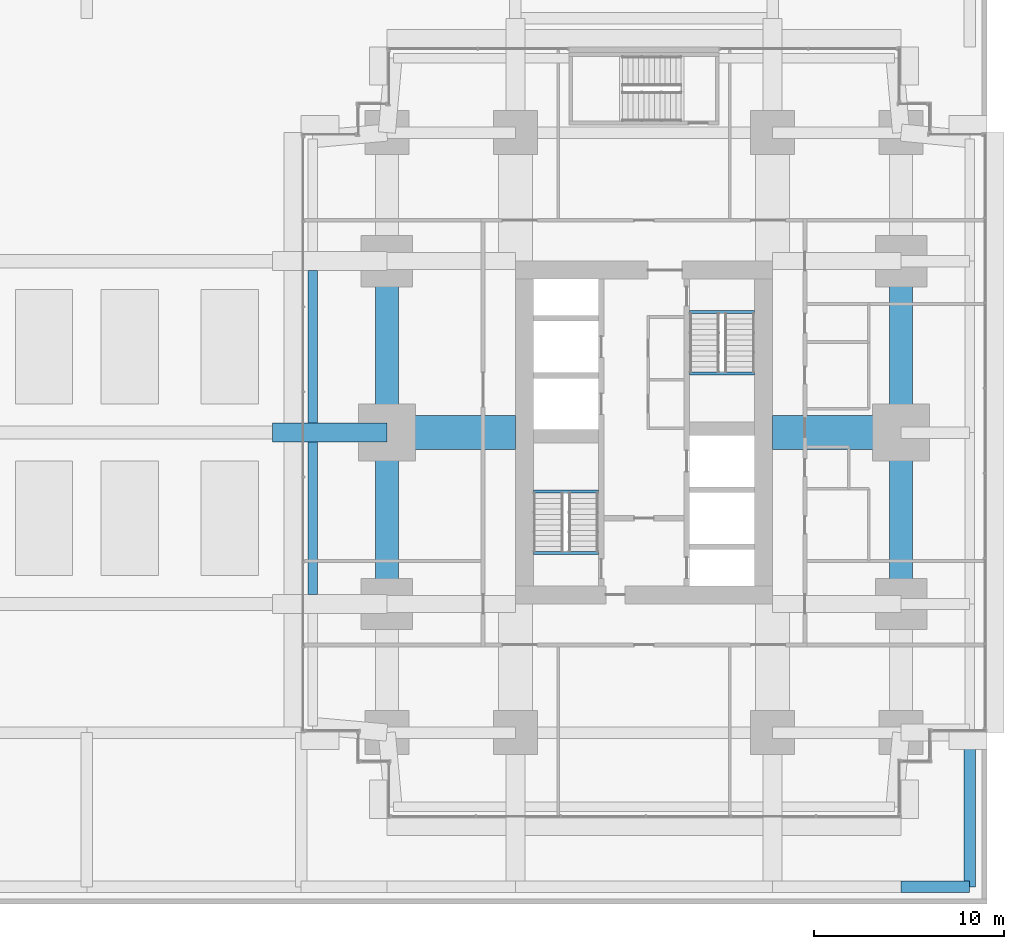
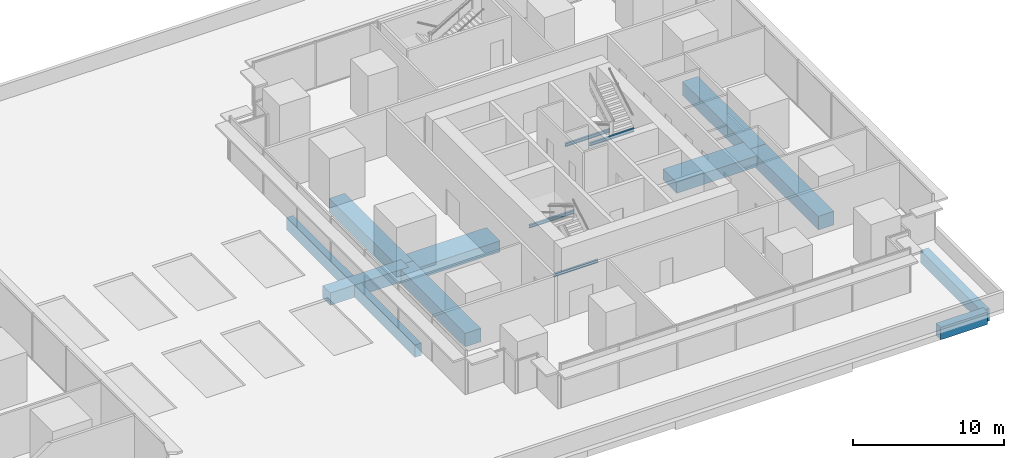
# One storey, part 15 of 34: 15 beams.
"""IFC4 building model written with IfcOpenShell, lengths in metres."""

from ifc_helpers import new_model, si_unit, direction, frame, origin, origin_2d, place, context, subcontext, project, spatial, rectangle, i_section, extrude, material, material_profile, profile_set, type_object, element, save


model = new_model("IFC4")

# Units and contexts
model_context = context("Model", 3, precision=1e-05, world=origin(), true_north=direction((0.0, 1.0)))
body_context = subcontext(model_context, "Body", "Model", "MODEL_VIEW")
ifc_project = project(units=[si_unit("LENGTHUNIT", "METRE"), si_unit("AREAUNIT", "SQUARE_METRE"), si_unit("VOLUMEUNIT", "CUBIC_METRE"), si_unit("PLANEANGLEUNIT", "RADIAN"), si_unit("MASSUNIT", "GRAM", prefix="KILO")], contexts=[model_context])

# Site, building, storey
site_placement = place(None, origin())
site = spatial("IfcSite", under=ifc_project, at=site_placement, CompositionType="ELEMENT")
building_placement = place(site_placement, origin())
building = spatial("IfcBuilding", under=site, at=building_placement, Name="Namib Vertical Campus", CompositionType="ELEMENT")
storey_placement = place(building_placement, frame((0.0, 0.0, 21.0)))
storey = spatial("IfcBuildingStorey", under=building, at=storey_placement, Name="L04", CompositionType="ELEMENT", Elevation=21.0)

# Beams
ifc_material_1 = material(Name="Concrete C40/50", Category="concrete")
ifc_material_profile_1 = material_profile(ifc_material_1, rectangle(XDim=1.199951171875, YDim=1.10009765625, at=origin_2d()))
ifc_profile_set_1 = profile_set([ifc_material_profile_1], Name="Concrete C40/50")
beam_type_1 = type_object("IfcBeamType", Name="Face ring beam RC 1200x1100", PredefinedType="BEAM", material=ifc_profile_set_1)
for number, where, z_axis, x_axis, name in (
    (1, (67.5, 11.25, -0.85009765625), (0.0, 1.0, 0.0), (-1.0, 0.0, 0.0), "Beam B11 L04"),
    (2, (67.5, 20.25, -0.85009765625), (0.0, 1.0, 0.0), (-1.0, 0.0, 0.0), "Beam B11 L04"),
    (3, (94.5, 11.25, -0.85009765625), (0.0, 1.0, 0.0), (-1.0, 0.0, 0.0), "Beam B11 L04"),
    (4, (94.5, 20.25, -0.85009765625), (0.0, 1.0, 0.0), (-1.0, 0.0, 0.0), "Beam B11 L04"),
):
    element("IfcBeam", number, at=place(storey_placement, frame(where, z_axis=z_axis, x_axis=x_axis)), inside=storey, type_object=beam_type_1, Name=name, PredefinedType="BEAM", context=body_context, shape_type="SweptSolid", body=[
        extrude(rectangle(XDim=1.199951171875, YDim=1.10009765625, at=origin_2d()), origin(), (0.0, 0.0, 1.0), 9.0),
    ])
ifc_material_2 = material(Name="Steel S355JR", Category="steel")
ifc_material_profile_2 = material_profile(ifc_material_2, i_section(OverallWidth=0.14599609375, OverallDepth=0.25146484375, WebThickness=0.006103515625, FlangeThickness=0.008544921875, FilletRadius=0.007568359375, at=origin_2d()))
ifc_profile_set_2 = profile_set([ifc_material_profile_2], Name="Steel S355JR")
beam_type_2 = type_object("IfcBeamType", Name="Landing trimmer UB 254x146x31", PredefinedType="BEAM", material=ifc_profile_set_2)
for number, where, z_axis, x_axis, name in (
    (5, (75.199951171875, 13.927001953125, -0.125732421875), (1.0, 0.0, 0.0), (0.0, 1.0, 0.0), "Landing trimmer LT1 B-S1 L04 1"),
    (6, (75.199951171875, 17.153076171875, 1.874267578125), (1.0, 0.0, 0.0), (0.0, 1.0, 0.0), "Landing trimmer LT1 B-S1 L04 2"),
    (7, (83.39990234375, 26.572998046875, -0.125732421875), (1.0, 0.0, 0.0), (0.0, 1.0, 0.0), "Landing trimmer LT1 B-S2 L04 1"),
    (8, (83.39990234375, 23.346923828125, 1.874267578125), (1.0, 0.0, 0.0), (0.0, 1.0, 0.0), "Landing trimmer LT1 B-S2 L04 2"),
):
    element("IfcBeam", number, at=place(storey_placement, frame(where, z_axis=z_axis, x_axis=x_axis)), inside=storey, type_object=beam_type_2, Name=name, PredefinedType="BEAM", context=body_context, shape_type="SweptSolid", body=[
        extrude(i_section(OverallWidth=0.14599609375, OverallDepth=0.25146484375, WebThickness=0.006103515625, FlangeThickness=0.008544921875, FilletRadius=0.007568359375, at=origin_2d()), origin(), (0.0, 0.0, 1.0), 3.400146484375),
    ])
ifc_material_3 = material(Name="Concrete C40/50", Category="concrete")
ifc_material_profile_3 = material_profile(ifc_material_3, rectangle(XDim=1.800048828125, YDim=0.89990234375, at=origin_2d()))
ifc_profile_set_3 = profile_set([ifc_material_profile_3], Name="Concrete C40/50")
beam_type_3 = type_object("IfcBeamType", Name="Outrigger line girder RC 1800x900", PredefinedType="BEAM", material=ifc_profile_set_3)
for number, where, z_axis, x_axis, name in (
    (9, (67.5, 20.25, -0.75), (1.0, 0.0, 0.0), (0.0, 1.0, 0.0), "Beam B12 L04"),
    (10, (94.5, 20.25, -0.75), (-1.0, 0.0, 0.0), (0.0, -1.0, 0.0), "Beam B12 L04"),
):
    element("IfcBeam", number, at=place(storey_placement, frame(where, z_axis=z_axis, x_axis=x_axis)), inside=storey, type_object=beam_type_3, Name=name, PredefinedType="BEAM", context=body_context, shape_type="SweptSolid", body=[
        extrude(rectangle(XDim=1.800048828125, YDim=0.89990234375, at=origin_2d()), origin(), (0.0, 0.0, 1.0), 6.75),
    ])
ifc_material_4 = material(Name="Concrete C40/50", Category="concrete")
ifc_material_profile_4 = material_profile(ifc_material_4, rectangle(XDim=0.60009765625, YDim=1.0, at=origin_2d()))
ifc_profile_set_4 = profile_set([ifc_material_profile_4], Name="Concrete C40/50")
beam_type_4 = type_object("IfcBeamType", Name="Podium beam RC 600x1000", PredefinedType="BEAM", material=ifc_profile_set_4)
beam_1_placement = place(storey_placement, frame((98.10009765625, -3.60009765625, -0.800048828125), z_axis=(0.0, 1.0, 0.0), x_axis=(-1.0, 0.0, 0.0)))
element("IfcBeam", 11, at=beam_1_placement, inside=storey, type_object=beam_type_4, Name="Beam PB1 L04", PredefinedType="BEAM", context=body_context, shape_type="SweptSolid", body=[
    extrude(rectangle(XDim=0.60009765625, YDim=1.0, at=origin_2d()), origin(), (0.0, 0.0, 1.0), 8.10009765625),
])
beam_2_placement = place(storey_placement, frame((94.5, -3.60009765625, -0.800048828125), z_axis=(1.0, 0.0, 0.0), x_axis=(0.0, 1.0, 0.0)))
element("IfcBeam", 12, at=beam_2_placement, inside=storey, type_object=beam_type_4, Name="Beam PB1 L04", PredefinedType="BEAM", context=body_context, shape_type="SweptSolid", body=[
    extrude(rectangle(XDim=0.60009765625, YDim=1.0, at=origin_2d()), origin(), (0.0, 0.0, 1.0), 3.60009765625),
])
ifc_material_5 = material(Name="Concrete C40/50", Category="concrete")
ifc_material_profile_5 = material_profile(ifc_material_5, rectangle(XDim=0.5, YDim=1.0, at=origin_2d()))
ifc_profile_set_5 = profile_set([ifc_material_profile_5], Name="Concrete C40/50")
beam_type_5 = type_object("IfcBeamType", Name="Podium roof edge beam RC 500x1000", PredefinedType="SPANDREL", material=ifc_profile_set_5)
for number, where, z_axis, x_axis, name in (
    (13, (63.60009765625, 11.75, -0.800048828125), (0.0, 1.0, 0.0), (-1.0, 0.0, 0.0), "Beam B8 L04"),
    (14, (63.60009765625, 20.75, -0.800048828125), (0.0, 1.0, 0.0), (-1.0, 0.0, 0.0), "Beam B8 L04"),
):
    element("IfcBeam", number, at=place(storey_placement, frame(where, z_axis=z_axis, x_axis=x_axis)), inside=storey, type_object=beam_type_5, Name=name, PredefinedType="SPANDREL", context=body_context, shape_type="SweptSolid", body=[
        extrude(rectangle(XDim=0.5, YDim=1.0, at=origin_2d()), origin(), (0.0, 0.0, 1.0), 8.0),
    ])
ifc_material_6 = material(Name="Concrete C40/50", Category="concrete")
ifc_material_profile_6 = material_profile(ifc_material_6, rectangle(XDim=1.0, YDim=1.0, at=origin_2d()))
ifc_profile_set_6 = profile_set([ifc_material_profile_6], Name="Concrete C40/50")
beam_type_6 = type_object("IfcBeamType", Name="Podium tie beam RC 1000x1000", PredefinedType="BEAM", material=ifc_profile_set_6)
beam_3_placement = place(storey_placement, frame((61.5, 20.25, -0.800048828125), z_axis=(1.0, 0.0, 0.0), x_axis=(0.0, 1.0, 0.0)))
element("IfcBeam", 15, at=beam_3_placement, inside=storey, type_object=beam_type_6, Name="Beam PB3 L04", PredefinedType="BEAM", context=body_context, shape_type="SweptSolid", body=[
    extrude(rectangle(XDim=1.0, YDim=1.0, at=origin_2d()), origin(), (0.0, 0.0, 1.0), 6.0),
])

save(model, "model.ifc")
